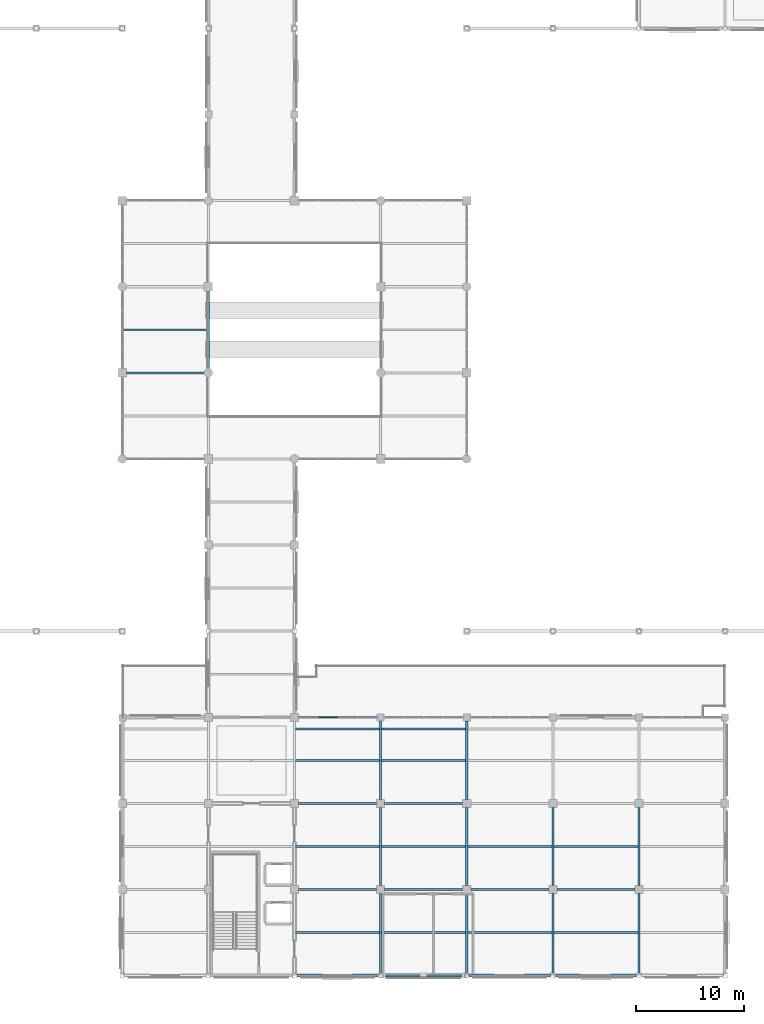
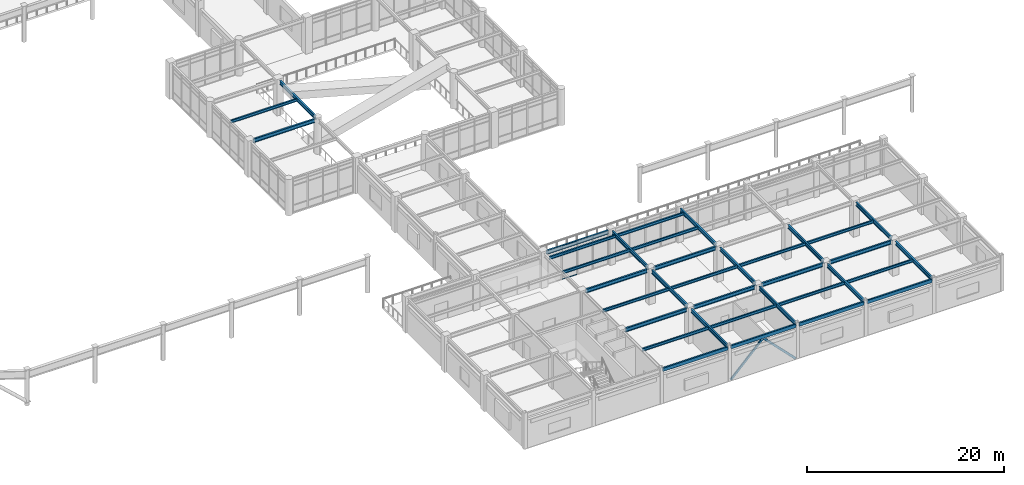
# One storey, part 22 of 78: 36 beams, 6 members, 1 element without a shape of its own.
"""IFC4 building model written with IfcOpenShell, lengths in metres."""

from ifc_helpers import new_model, si_unit, direction, frame, origin, origin_2d, place, context, subcontext, project, spatial, hollow_rectangle, i_section, extrude, material, material_profile, profile_set, type_object, element, aggregate, save


model = new_model("IFC4")

# Units and contexts
model_context = context("Model", 3, precision=1e-05, world=origin(), true_north=direction((0.0, 1.0)))
body_context = subcontext(model_context, "Body", "Model", "MODEL_VIEW")
ifc_project = project(units=[si_unit("LENGTHUNIT", "METRE"), si_unit("AREAUNIT", "SQUARE_METRE"), si_unit("VOLUMEUNIT", "CUBIC_METRE"), si_unit("PLANEANGLEUNIT", "RADIAN"), si_unit("MASSUNIT", "GRAM", prefix="KILO")], contexts=[model_context])

# Site, building, storey
site_placement = place(None, origin())
site = spatial("IfcSite", under=ifc_project, at=site_placement, CompositionType="ELEMENT")
building_placement = place(site_placement, origin())
building = spatial("IfcBuilding", under=site, at=building_placement, Name="Solmirada Galleria", CompositionType="ELEMENT")
storey_placement = place(building_placement, frame((0.0, 0.0, 23.89990234375)))
storey = spatial("IfcBuildingStorey", under=building, at=storey_placement, Name="L05", CompositionType="ELEMENT", Elevation=23.89990234375)

# Beams
ifc_material_1 = material(Name="Steel S355 / ASTM A992 Grade 50", Category="steel")
ifc_material_profile_1 = material_profile(ifc_material_1, i_section(OverallWidth=0.194091796875, OverallDepth=0.468994140625, WebThickness=0.0126953125, FlangeThickness=0.0205078125, FilletRadius=0.013916015625, at=origin_2d()), Name="W18X71")
ifc_profile_set_1 = profile_set([ifc_material_profile_1], Name="Steel S355 / ASTM A992 Grade 50")
beam_type_1 = type_object("IfcBeamType", Name="BM-GIRD-W18B", PredefinedType="BEAM", material=ifc_profile_set_1)
for number, where, z_axis, x_axis, name in (
    (1, (96.375, 16.0, 4.065673828125), (1.0, 0.0, 0.0), (0.0, 1.0, 0.0), "Primary beam L06 X(96..104, 16)"),
    (2, (104.375, 16.0, 4.065673828125), (1.0, 0.0, 0.0), (0.0, 1.0, 0.0), "Primary beam L06 X(104..112, 16)"),
):
    element("IfcBeam", number, at=place(storey_placement, frame(where, z_axis=z_axis, x_axis=x_axis)), inside=storey, type_object=beam_type_1, Name=name, PredefinedType="BEAM", context=body_context, shape_type="SweptSolid", body=[
        extrude(i_section(OverallWidth=0.194091796875, OverallDepth=0.468994140625, WebThickness=0.0126953125, FlangeThickness=0.0205078125, FilletRadius=0.013916015625, at=origin_2d()), origin(), (0.0, 0.0, 1.0), 7.25),
    ])
ifc_material_profile_2 = material_profile(ifc_material_1, i_section(OverallWidth=0.193115234375, OverallDepth=0.466064453125, WebThickness=0.011474609375, FlangeThickness=0.01904296875, FilletRadius=0.013916015625, at=origin_2d()), Name="W18X65")
ifc_profile_set_2 = profile_set([ifc_material_profile_2], Name="Steel S355 / ASTM A992 Grade 50")
beam_type_2 = type_object("IfcBeamType", Name="BM-GIRD-W18C", PredefinedType="BEAM", material=ifc_profile_set_2)
beam_1_placement = place(storey_placement, frame((80.39990234375, 56.0, 4.067138671875), z_axis=(1.0, 0.0, 0.0), x_axis=(0.0, 1.0, 0.0)))
element("IfcBeam", 3, at=beam_1_placement, inside=storey, type_object=beam_type_2, Name="Primary beam L06 X(80..88, 56)", PredefinedType="BEAM", context=body_context, shape_type="SweptSolid", body=[
    extrude(i_section(OverallWidth=0.193115234375, OverallDepth=0.466064453125, WebThickness=0.011474609375, FlangeThickness=0.01904296875, FilletRadius=0.013916015625, at=origin_2d()), origin(), (0.0, 0.0, 1.0), 7.26416015625),
])
beam_2_placement = place(storey_placement, frame((96.375, 8.0, 4.067138671875), z_axis=(1.0, 0.0, 0.0), x_axis=(0.0, 1.0, 0.0)))
element("IfcBeam", 4, at=beam_2_placement, inside=storey, type_object=beam_type_2, Name="Primary beam L06 X(96..104, 8)", PredefinedType="BEAM", context=body_context, shape_type="SweptSolid", body=[
    extrude(i_section(OverallWidth=0.193115234375, OverallDepth=0.466064453125, WebThickness=0.011474609375, FlangeThickness=0.01904296875, FilletRadius=0.013916015625, at=origin_2d()), origin(), (0.0, 0.0, 1.0), 7.25),
])
beam_3_placement = place(storey_placement, frame((96.375, 24.0, 4.027099609375), z_axis=(1.0, 0.0, 0.0), x_axis=(0.0, 1.0, 0.0)))
element("IfcBeam", 5, at=beam_3_placement, inside=storey, type_object=beam_type_2, Name="Primary beam L06 X(96..104, 24)", PredefinedType="BEAM", context=body_context, shape_type="SweptSolid", body=[
    extrude(i_section(OverallWidth=0.193115234375, OverallDepth=0.466064453125, WebThickness=0.011474609375, FlangeThickness=0.01904296875, FilletRadius=0.013916015625, at=origin_2d()), origin(), (0.0, 0.0, 1.0), 7.300048828125),
])
for number, where, z_axis, x_axis, name in (
    (6, (104.375, 8.0, 4.067138671875), (1.0, 0.0, 0.0), (0.0, 1.0, 0.0), "Primary beam L06 X(104..112, 8)"),
    (7, (112.375, 8.0, 4.067138671875), (1.0, 0.0, 0.0), (0.0, 1.0, 0.0), "Primary beam L06 X(112..120, 8)"),
    (8, (120.375, 8.0, 4.067138671875), (1.0, 0.0, 0.0), (0.0, 1.0, 0.0), "Primary beam L06 X(120..128, 8)"),
):
    element("IfcBeam", number, at=place(storey_placement, frame(where, z_axis=z_axis, x_axis=x_axis)), inside=storey, type_object=beam_type_2, Name=name, PredefinedType="BEAM", context=body_context, shape_type="SweptSolid", body=[
        extrude(i_section(OverallWidth=0.193115234375, OverallDepth=0.466064453125, WebThickness=0.011474609375, FlangeThickness=0.01904296875, FilletRadius=0.013916015625, at=origin_2d()), origin(), (0.0, 0.0, 1.0), 7.25),
    ])
beam_4_placement = place(storey_placement, frame((88.0, 56.3359375, 4.067138671875), z_axis=(0.0, 1.0, 0.0), x_axis=(-1.0, 0.0, 0.0)))
element("IfcBeam", 9, at=beam_4_placement, inside=storey, type_object=beam_type_2, Name="Primary girder L06 Y(88, 56..64)", PredefinedType="BEAM", context=body_context, shape_type="SweptSolid", body=[
    extrude(i_section(OverallWidth=0.193115234375, OverallDepth=0.466064453125, WebThickness=0.011474609375, FlangeThickness=0.01904296875, FilletRadius=0.013916015625, at=origin_2d()), origin(), (0.0, 0.0, 1.0), 7.26416015625),
])
beam_5_placement = place(storey_placement, frame((104.0, 0.202880859375, 4.067138671875), z_axis=(0.0, 1.0, 0.0), x_axis=(-1.0, 0.0, 0.0)))
element("IfcBeam", 10, at=beam_5_placement, inside=storey, type_object=beam_type_2, Name="Primary girder L06 Y(104, 0..8)", PredefinedType="BEAM", context=body_context, shape_type="SweptSolid", body=[
    extrude(i_section(OverallWidth=0.193115234375, OverallDepth=0.466064453125, WebThickness=0.011474609375, FlangeThickness=0.01904296875, FilletRadius=0.013916015625, at=origin_2d()), origin(), (0.0, 0.0, 1.0), 7.422119140625),
])
beam_6_placement = place(storey_placement, frame((104.0, 8.375, 4.067138671875), z_axis=(0.0, 1.0, 0.0), x_axis=(-1.0, 0.0, 0.0)))
element("IfcBeam", 11, at=beam_6_placement, inside=storey, type_object=beam_type_2, Name="Primary girder L06 Y(104, 8..16)", PredefinedType="BEAM", context=body_context, shape_type="SweptSolid", body=[
    extrude(i_section(OverallWidth=0.193115234375, OverallDepth=0.466064453125, WebThickness=0.011474609375, FlangeThickness=0.01904296875, FilletRadius=0.013916015625, at=origin_2d()), origin(), (0.0, 0.0, 1.0), 7.25),
])
beam_7_placement = place(storey_placement, frame((104.0, 16.375, 4.027099609375), z_axis=(0.0, 1.0, 0.0), x_axis=(-1.0, 0.0, 0.0)))
element("IfcBeam", 12, at=beam_7_placement, inside=storey, type_object=beam_type_2, Name="Primary girder L06 Y(104, 16..24)", PredefinedType="BEAM", context=body_context, shape_type="SweptSolid", body=[
    extrude(i_section(OverallWidth=0.193115234375, OverallDepth=0.466064453125, WebThickness=0.011474609375, FlangeThickness=0.01904296875, FilletRadius=0.013916015625, at=origin_2d()), origin(), (0.0, 0.0, 1.0), 7.300048828125),
])
beam_8_placement = place(storey_placement, frame((112.0, 0.202880859375, 4.067138671875), z_axis=(0.0, 1.0, 0.0), x_axis=(-1.0, 0.0, 0.0)))
element("IfcBeam", 13, at=beam_8_placement, inside=storey, type_object=beam_type_2, Name="Primary girder L06 Y(112, 0..8)", PredefinedType="BEAM", context=body_context, shape_type="SweptSolid", body=[
    extrude(i_section(OverallWidth=0.193115234375, OverallDepth=0.466064453125, WebThickness=0.011474609375, FlangeThickness=0.01904296875, FilletRadius=0.013916015625, at=origin_2d()), origin(), (0.0, 0.0, 1.0), 7.422119140625),
])
beam_9_placement = place(storey_placement, frame((112.0, 8.375, 4.067138671875), z_axis=(0.0, 1.0, 0.0), x_axis=(-1.0, 0.0, 0.0)))
element("IfcBeam", 14, at=beam_9_placement, inside=storey, type_object=beam_type_2, Name="Primary girder L06 Y(112, 8..16)", PredefinedType="BEAM", context=body_context, shape_type="SweptSolid", body=[
    extrude(i_section(OverallWidth=0.193115234375, OverallDepth=0.466064453125, WebThickness=0.011474609375, FlangeThickness=0.01904296875, FilletRadius=0.013916015625, at=origin_2d()), origin(), (0.0, 0.0, 1.0), 7.25),
])
beam_10_placement = place(storey_placement, frame((112.0, 16.375, 4.027099609375), z_axis=(0.0, 1.0, 0.0), x_axis=(-1.0, 0.0, 0.0)))
element("IfcBeam", 15, at=beam_10_placement, inside=storey, type_object=beam_type_2, Name="Primary girder L06 Y(112, 16..24)", PredefinedType="BEAM", context=body_context, shape_type="SweptSolid", body=[
    extrude(i_section(OverallWidth=0.193115234375, OverallDepth=0.466064453125, WebThickness=0.011474609375, FlangeThickness=0.01904296875, FilletRadius=0.013916015625, at=origin_2d()), origin(), (0.0, 0.0, 1.0), 7.300048828125),
])
beam_11_placement = place(storey_placement, frame((120.0, 0.202880859375, 4.067138671875), z_axis=(0.0, 1.0, 0.0), x_axis=(-1.0, 0.0, 0.0)))
element("IfcBeam", 16, at=beam_11_placement, inside=storey, type_object=beam_type_2, Name="Primary girder L06 Y(120, 0..8)", PredefinedType="BEAM", context=body_context, shape_type="SweptSolid", body=[
    extrude(i_section(OverallWidth=0.193115234375, OverallDepth=0.466064453125, WebThickness=0.011474609375, FlangeThickness=0.01904296875, FilletRadius=0.013916015625, at=origin_2d()), origin(), (0.0, 0.0, 1.0), 7.422119140625),
])
beam_12_placement = place(storey_placement, frame((120.0, 8.375, 4.067138671875), z_axis=(0.0, 1.0, 0.0), x_axis=(-1.0, 0.0, 0.0)))
element("IfcBeam", 17, at=beam_12_placement, inside=storey, type_object=beam_type_2, Name="Primary girder L06 Y(120, 8..16)", PredefinedType="BEAM", context=body_context, shape_type="SweptSolid", body=[
    extrude(i_section(OverallWidth=0.193115234375, OverallDepth=0.466064453125, WebThickness=0.011474609375, FlangeThickness=0.01904296875, FilletRadius=0.013916015625, at=origin_2d()), origin(), (0.0, 0.0, 1.0), 7.25),
])
beam_13_placement = place(storey_placement, frame((128.0, 0.202880859375, 4.067138671875), z_axis=(0.0, 1.0, 0.0), x_axis=(-1.0, 0.0, 0.0)))
element("IfcBeam", 18, at=beam_13_placement, inside=storey, type_object=beam_type_2, Name="Primary girder L06 Y(128, 0..8)", PredefinedType="BEAM", context=body_context, shape_type="SweptSolid", body=[
    extrude(i_section(OverallWidth=0.193115234375, OverallDepth=0.466064453125, WebThickness=0.011474609375, FlangeThickness=0.01904296875, FilletRadius=0.013916015625, at=origin_2d()), origin(), (0.0, 0.0, 1.0), 7.422119140625),
])
beam_14_placement = place(storey_placement, frame((128.0, 8.375, 4.067138671875), z_axis=(0.0, 1.0, 0.0), x_axis=(-1.0, 0.0, 0.0)))
element("IfcBeam", 19, at=beam_14_placement, inside=storey, type_object=beam_type_2, Name="Primary girder L06 Y(128, 8..16)", PredefinedType="BEAM", context=body_context, shape_type="SweptSolid", body=[
    extrude(i_section(OverallWidth=0.193115234375, OverallDepth=0.466064453125, WebThickness=0.011474609375, FlangeThickness=0.01904296875, FilletRadius=0.013916015625, at=origin_2d()), origin(), (0.0, 0.0, 1.0), 7.25),
])
ifc_material_profile_3 = material_profile(ifc_material_1, i_section(OverallWidth=0.1708984375, OverallDepth=0.35205078125, WebThickness=0.0068359375, FlangeThickness=0.009765625, FilletRadius=0.010986328125, at=origin_2d()), Name="W14X30")
ifc_profile_set_3 = profile_set([ifc_material_profile_3], Name="Steel S355 / ASTM A992 Grade 50")
beam_type_3 = type_object("IfcBeamType", Name="BM-JST-W14B", PredefinedType="JOIST", material=ifc_profile_set_3)
for number, where, z_axis, x_axis, name in (
    (20, (80.096435546875, 60.0, 4.1240234375), (1.0, 0.0, 0.0), (0.0, 1.0, 0.0), "Composite floor joist L06 (80..88, 60.0)"),
    (21, (96.096435546875, 4.0, 4.1240234375), (1.0, 0.0, 0.0), (0.0, 1.0, 0.0), "Composite floor joist L06 (96..104, 4.0)"),
    (22, (96.096435546875, 12.0, 4.1240234375), (1.0, 0.0, 0.0), (0.0, 1.0, 0.0), "Composite floor joist L06 (96..104, 12.0)"),
    (23, (96.096435546875, 20.0, 4.083984375), (1.0, 0.0, 0.0), (0.0, 1.0, 0.0), "Composite floor joist L06 (96..104, 20.0)"),
    (24, (96.096435546875, 22.89990234375, 4.083984375), (1.0, 0.0, 0.0), (0.0, 1.0, 0.0), "Terrace deck joist L06-TERR-SE X=96..104 (2)"),
    (25, (104.096435546875, 4.0, 4.1240234375), (1.0, 0.0, 0.0), (0.0, 1.0, 0.0), "Composite floor joist L06 (104..112, 4.0)"),
    (26, (104.096435546875, 12.0, 4.1240234375), (1.0, 0.0, 0.0), (0.0, 1.0, 0.0), "Composite floor joist L06 (104..112, 12.0)"),
    (27, (104.096435546875, 20.0, 4.083984375), (1.0, 0.0, 0.0), (0.0, 1.0, 0.0), "Composite floor joist L06 (104..112, 20.0)"),
    (28, (104.096435546875, 22.89990234375, 4.083984375), (1.0, 0.0, 0.0), (0.0, 1.0, 0.0), "Terrace deck joist L06-TERR-SE X=104..112 (2)"),
    (29, (112.096435546875, 4.0, 4.1240234375), (1.0, 0.0, 0.0), (0.0, 1.0, 0.0), "Composite floor joist L06 (112..120, 4.0)"),
    (30, (112.096435546875, 12.0, 4.1240234375), (1.0, 0.0, 0.0), (0.0, 1.0, 0.0), "Composite floor joist L06 (112..120, 12.0)"),
    (31, (120.096435546875, 4.0, 4.1240234375), (1.0, 0.0, 0.0), (0.0, 1.0, 0.0), "Composite floor joist L06 (120..128, 4.0)"),
    (32, (120.096435546875, 12.0, 4.1240234375), (1.0, 0.0, 0.0), (0.0, 1.0, 0.0), "Composite floor joist L06 (120..128, 12.0)"),
):
    element("IfcBeam", number, at=place(storey_placement, frame(where, z_axis=z_axis, x_axis=x_axis)), inside=storey, type_object=beam_type_3, Name=name, PredefinedType="JOIST", context=body_context, shape_type="SweptSolid", body=[
        extrude(i_section(OverallWidth=0.1708984375, OverallDepth=0.35205078125, WebThickness=0.0068359375, FlangeThickness=0.009765625, FilletRadius=0.010986328125, at=origin_2d()), origin(), (0.0, 0.0, 1.0), 7.80712890625),
    ])
ifc_material_2 = material(Name="Steel S355 / ASTM A500 Grade C", Category="steel")
ifc_material_profile_4 = material_profile(ifc_material_2, hollow_rectangle(XDim=0.202880859375, YDim=0.431884765625, WallThickness=0.01171875, InnerFilletRadius=0.01171875, OuterFilletRadius=0.023681640625, at=origin_2d()), Name="HSS17X8X1/2")
ifc_profile_set_4 = profile_set([ifc_material_profile_4], Name="Steel S355 / ASTM A500 Grade C")
beam_type_4 = type_object("IfcBeamType", Name="BM-SPAND-W16B", PredefinedType="SPANDREL", material=ifc_profile_set_4)
for number, where, z_axis, x_axis, name in (
    (33, (96.202880859375, 0.0, 4.083984375), (1.0, 0.0, 0.0), (0.0, 1.0, 0.0), "Primary beam L06 X(96..104, 0)"),
    (34, (104.202880859375, 0.0, 4.083984375), (1.0, 0.0, 0.0), (0.0, 1.0, 0.0), "Primary beam L06 X(104..112, 0)"),
    (35, (112.202880859375, 0.0, 4.083984375), (1.0, 0.0, 0.0), (0.0, 1.0, 0.0), "Primary beam L06 X(112..120, 0)"),
    (36, (120.202880859375, 0.0, 4.083984375), (1.0, 0.0, 0.0), (0.0, 1.0, 0.0), "Primary beam L06 X(120..128, 0)"),
):
    element("IfcBeam", number, at=place(storey_placement, frame(where, z_axis=z_axis, x_axis=x_axis)), inside=storey, type_object=beam_type_4, Name=name, PredefinedType="SPANDREL", context=body_context, shape_type="SweptSolid", body=[
        extrude(hollow_rectangle(XDim=0.202880859375, YDim=0.431884765625, WallThickness=0.01171875, InnerFilletRadius=0.01171875, OuterFilletRadius=0.023681640625, at=origin_2d()), origin(), (0.0, 0.0, 1.0), 7.59423828125),
    ])

# Curtain wall, members
ifc_material_3 = material(Name="Impact-resistant low-E double glazing", Category="glass")
curtain_wall_type = type_object("IfcCurtainWallType", Name="CW-FZ5-L05-B4-L073", PredefinedType="NOTDEFINED", material=ifc_material_3)
curtain_wall_placement = place(storey_placement, origin())
curtain_wall = element("IfcCurtainWall", 37, at=curtain_wall_placement, inside=storey, type_object=curtain_wall_type, Name="Terrace and arcade storefront CW-L05-181", PredefinedType="NOTDEFINED")
ifc_material_4 = material(Name="Anodised aluminium framing", Category="aluminium")
ifc_material_profile_5 = material_profile(ifc_material_4, hollow_rectangle(XDim=0.06005859375, YDim=0.110107421875, WallThickness=0.003173828125, InnerFilletRadius=0.003173828125, OuterFilletRadius=0.00634765625, at=origin_2d()), Name="ALU-TRAN-110X60")
ifc_profile_set_5 = profile_set([ifc_material_profile_5], Name="Anodised aluminium framing")
member_type_1 = type_object("IfcMemberType", Name="CW-TRAN-110", PredefinedType="USERDEFINED", material=ifc_profile_set_5)
member_1_placement = place(storey_placement, frame((98.23095703125, 24.0, 0.030029296875), z_axis=(1.0, 0.0, 0.0), x_axis=(0.0, 1.0, 0.0)))
member_1 = element("IfcMember", 38, at=member_1_placement, type_object=member_type_1, Name="CW36 transom 2.1", ObjectType="TRANSOM", PredefinedType="USERDEFINED", context=body_context, shape_type="SweptSolid", body=[
    extrude(hollow_rectangle(XDim=0.06005859375, YDim=0.110107421875, WallThickness=0.003173828125, InnerFilletRadius=0.003173828125, OuterFilletRadius=0.00634765625, at=origin_2d()), origin(), (0.0, 0.0, 1.0), 1.76416015625),
])
member_2_placement = place(storey_placement, frame((98.23095703125, 24.0, 1.02001953125), z_axis=(1.0, 0.0, 0.0), x_axis=(0.0, 1.0, 0.0)))
member_2 = element("IfcMember", 39, at=member_2_placement, type_object=member_type_1, Name="CW36 transom 2.2", ObjectType="TRANSOM", PredefinedType="USERDEFINED", context=body_context, shape_type="SweptSolid", body=[
    extrude(hollow_rectangle(XDim=0.06005859375, YDim=0.110107421875, WallThickness=0.003173828125, InnerFilletRadius=0.003173828125, OuterFilletRadius=0.00634765625, at=origin_2d()), origin(), (0.0, 0.0, 1.0), 1.76416015625),
])
member_3_placement = place(storey_placement, frame((98.23095703125, 24.0, 3.210205078125), z_axis=(1.0, 0.0, 0.0), x_axis=(0.0, 1.0, 0.0)))
member_3 = element("IfcMember", 40, at=member_3_placement, type_object=member_type_1, Name="CW36 transom 2.3", ObjectType="TRANSOM", PredefinedType="USERDEFINED", context=body_context, shape_type="SweptSolid", body=[
    extrude(hollow_rectangle(XDim=0.06005859375, YDim=0.110107421875, WallThickness=0.003173828125, InnerFilletRadius=0.003173828125, OuterFilletRadius=0.00634765625, at=origin_2d()), origin(), (0.0, 0.0, 1.0), 1.76416015625),
])
member_4_placement = place(storey_placement, frame((98.23095703125, 24.0, 4.190185546875), z_axis=(1.0, 0.0, 0.0), x_axis=(0.0, 1.0, 0.0)))
member_4 = element("IfcMember", 41, at=member_4_placement, type_object=member_type_1, Name="CW36 transom 2.4", ObjectType="TRANSOM", PredefinedType="USERDEFINED", context=body_context, shape_type="SweptSolid", body=[
    extrude(hollow_rectangle(XDim=0.06005859375, YDim=0.110107421875, WallThickness=0.003173828125, InnerFilletRadius=0.003173828125, OuterFilletRadius=0.00634765625, at=origin_2d()), origin(), (0.0, 0.0, 1.0), 1.76416015625),
])
aggregate(curtain_wall, [member_1, member_2, member_3, member_4])

# Members
ifc_material_profile_6 = material_profile(ifc_material_2, hollow_rectangle(XDim=0.152099609375, YDim=0.25390625, WallThickness=0.0087890625, InnerFilletRadius=0.0087890625, OuterFilletRadius=0.017822265625, at=origin_2d()), Name="HSS10X6X3/8")
ifc_profile_set_6 = profile_set([ifc_material_profile_6], Name="Steel S355 / ASTM A500 Grade C")
member_type_2 = type_object("IfcMemberType", Name="MEM-CBF-EXT", PredefinedType="BRACE", material=ifc_profile_set_6)
for number, where, z_axis, x_axis, name in (
    (42, (104.202880859375, 0.0, 0.02001953125), (0.701266400883, 0.0, 0.712899316168), (0.0, 1.0, 0.0), "Braced frame diagonal CBF-S1 L05 A"),
    (43, (111.797119140625, 0.0, 0.02001953125), (-0.701266400883, 0.0, 0.712899316168), (0.0, -1.0, 0.0), "Braced frame diagonal CBF-S1 L05 B"),
):
    element("IfcMember", number, at=place(storey_placement, frame(where, z_axis=z_axis, x_axis=x_axis)), inside=storey, type_object=member_type_2, Name=name, PredefinedType="BRACE", context=body_context, shape_type="SweptSolid", body=[
        extrude(hollow_rectangle(XDim=0.152099609375, YDim=0.25390625, WallThickness=0.0087890625, InnerFilletRadius=0.0087890625, OuterFilletRadius=0.017822265625, at=origin_2d()), origin(), (0.0, 0.0, 1.0), 5.41455078125),
    ])

save(model, "model.ifc")
